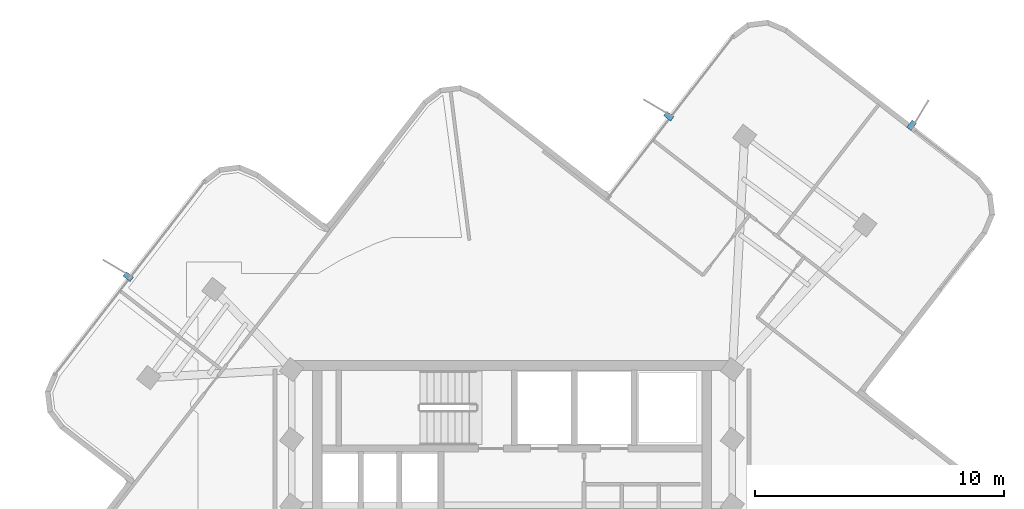
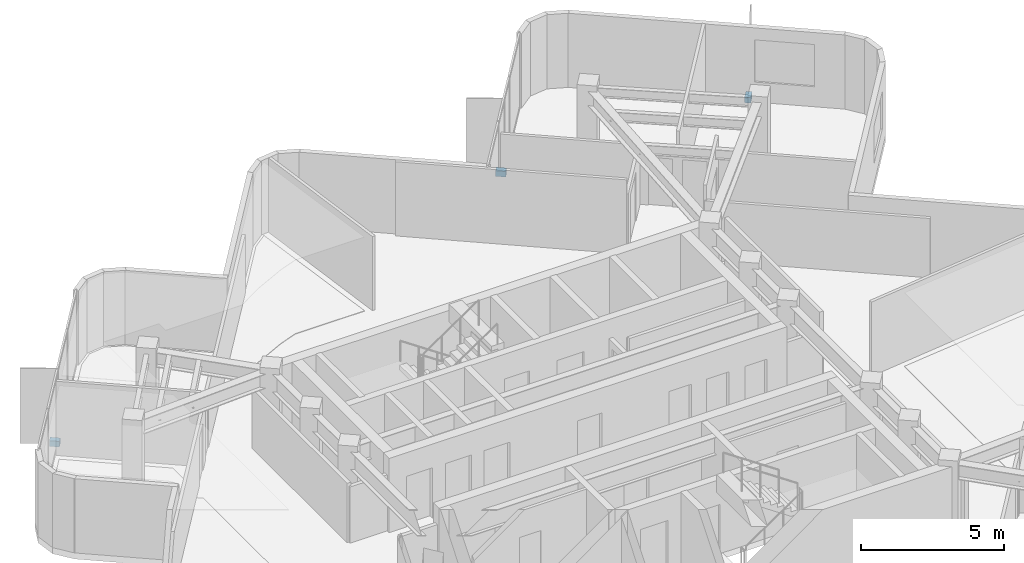
# One storey, part 8 of 10: 3 discrete accessories.
"""IFC4 building model written with IfcOpenShell, lengths in metres."""

from ifc_helpers import new_model, si_unit, direction, frame, origin, origin_2d, place, context, subcontext, project, spatial, rectangle, extrude, material, type_object, element, save


model = new_model("IFC4")

# Units and contexts
model_context = context("Model", 3, precision=1e-05, world=origin(), true_north=direction((0.0, 1.0)))
body_context = subcontext(model_context, "Body", "Model", "MODEL_VIEW")
ifc_project = project(units=[si_unit("LENGTHUNIT", "METRE"), si_unit("AREAUNIT", "SQUARE_METRE"), si_unit("VOLUMEUNIT", "CUBIC_METRE"), si_unit("PLANEANGLEUNIT", "RADIAN"), si_unit("MASSUNIT", "GRAM", prefix="KILO")], contexts=[model_context])

# Site, building, storey
site_placement = place(None, origin())
site = spatial("IfcSite", under=ifc_project, at=site_placement, CompositionType="ELEMENT")
building_placement = place(site_placement, origin())
building = spatial("IfcBuilding", under=site, at=building_placement, Name="Solmarez Civic Tower", CompositionType="ELEMENT")
storey_placement = place(building_placement, frame((0.0, 0.0, 261.179931640625)))
storey = spatial("IfcBuildingStorey", under=building, at=storey_placement, Name="L70", CompositionType="ELEMENT", Elevation=261.179931640625)

# Discrete accessories
ifc_material = material(Name="Stainless Steel Grade 1.4401", Category="steel")
discrete_accessory_type = type_object("IfcDiscreteAccessoryType", Name="BRACKET-SS-FIN", PredefinedType="BRACKET", material=ifc_material)
for number, where, z_axis, x_axis, name in (
    (1, (-15.409912109375, 12.080078125, -0.06005859375), (0.0, 0.0, 1.0), (-0.79018339727, 0.612870458318, 0.0), "L70 Stainless Fin Support Bracket FIN-L70-02"),
    (2, (6.2919921875, 18.52099609375, -0.06005859375), (0.0, 0.0, 1.0), (-0.790132353453, 0.612936264245, 0.0), "L70 Stainless Fin Support Bracket FIN-L70-03"),
    (3, (16.044921875, 18.155029296875, -0.06005859375), (0.0, 0.0, 1.0), (0.612983888289, 0.790095407339, 0.0), "L70 Stainless Fin Support Bracket FIN-L70-04"),
):
    element("IfcDiscreteAccessory", number, at=place(storey_placement, frame(where, z_axis=z_axis, x_axis=x_axis)), inside=storey, type_object=discrete_accessory_type, Name=name, PredefinedType="BRACKET", context=body_context, shape_type="SweptSolid", body=[
        extrude(rectangle(XDim=0.360107421875, YDim=0.219970703125, at=origin_2d()), origin(), (0.0, 0.0, 1.0), 0.239990234375),
    ])

save(model, "model.ifc")
